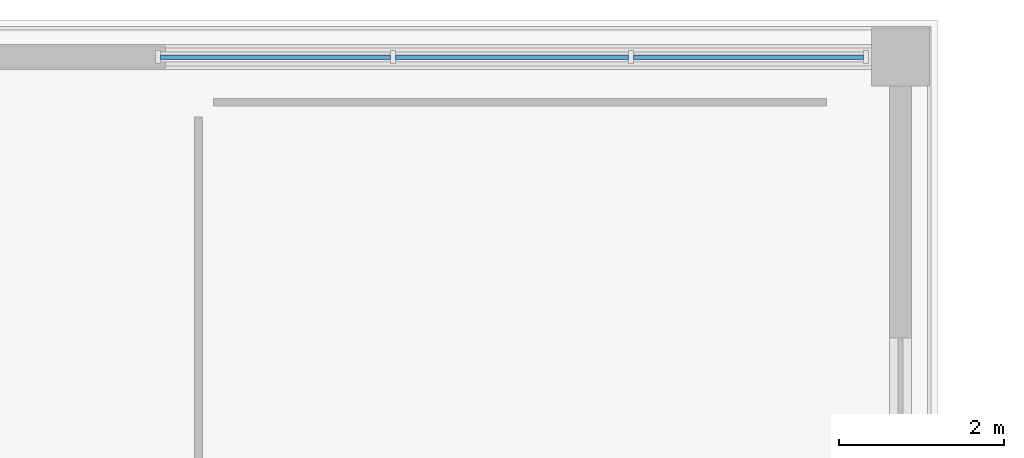
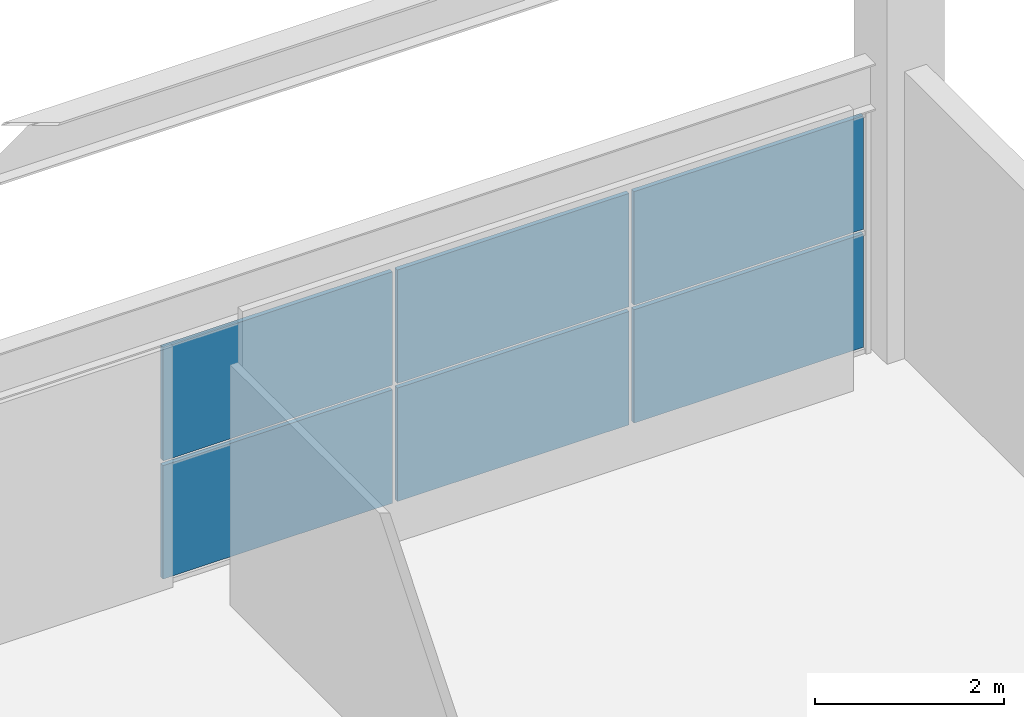
# One storey, part 43 of 72: 6 plates, 1 element without a shape of its own.
"""IFC4 building model written with IfcOpenShell, lengths in metres."""

from ifc_helpers import new_model, si_unit, direction, frame, origin, origin_2d, place, context, subcontext, project, spatial, rectangle, extrude, material, layer, layer_set, type_object, element, aggregate, save


model = new_model("IFC4")

# Units and contexts
model_context = context("Model", 3, precision=1e-05, world=origin(), true_north=direction((0.0, 1.0)))
body_context = subcontext(model_context, "Body", "Model", "MODEL_VIEW")
ifc_project = project(units=[si_unit("LENGTHUNIT", "METRE"), si_unit("AREAUNIT", "SQUARE_METRE"), si_unit("VOLUMEUNIT", "CUBIC_METRE"), si_unit("PLANEANGLEUNIT", "RADIAN"), si_unit("MASSUNIT", "GRAM", prefix="KILO")], contexts=[model_context])

# Site, building, storey
site_placement = place(None, origin())
site = spatial("IfcSite", under=ifc_project, at=site_placement, CompositionType="ELEMENT")
building_placement = place(site_placement, origin())
building = spatial("IfcBuilding", under=site, at=building_placement, Name="Saryqyr Civic Hall", CompositionType="ELEMENT")
storey_placement = place(building_placement, frame((0.0, 0.0, 17.25)))
storey = spatial("IfcBuildingStorey", under=building, at=storey_placement, Name="L04", CompositionType="ELEMENT", Elevation=17.25)

# Curtain wall, plates
ifc_material_1 = material(Name="Anodised aluminium and triple low-E glass", Category="aluminium")
curtain_wall_type = type_object("IfcCurtainWallType", Name="ENV-CW-STD-57", PredefinedType="NOTDEFINED", material=ifc_material_1)
curtain_wall_placement = place(storey_placement, origin())
curtain_wall = element("IfcCurtainWall", 1, at=curtain_wall_placement, inside=storey, type_object=curtain_wall_type, Name="Curtain wall V3-CW-L04-2-1", PredefinedType="NOTDEFINED")
ifc_material_2 = material(Name="Triple low-E insulated glazing", Category="glass")
ifc_layer = layer(ifc_material_2, 0.053955078125, Name="Triple low-E insulated glazing")
ifc_layer_set = layer_set([ifc_layer], Name="Triple low-E insulated glazing")
plate_type = type_object("IfcPlateType", Name="ENV-CW-PNL-38", PredefinedType="CURTAIN_PANEL", material=ifc_layer_set)
plate_1_placement = place(storey_placement, frame((18.558349609375, 165.14990234375, 0.06005859375), z_axis=(0.0, 0.0, 1.0), x_axis=(1.0, 0.0, 0.0)))
plate_1 = element("IfcPlate", 2, at=plate_1_placement, type_object=plate_type, Name="CW-57 panel 1.1", PredefinedType="CURTAIN_PANEL", context=body_context, shape_type="SweptSolid", body=[
    extrude(rectangle(XDim=2.796630859375, YDim=0.053955078125, at=origin_2d()), origin(), (0.0, 0.0, 1.0), 1.4619140625),
])
plate_2_placement = place(storey_placement, frame((18.558349609375, 165.14990234375, 1.58203125), z_axis=(0.0, 0.0, 1.0), x_axis=(1.0, 0.0, 0.0)))
plate_2 = element("IfcPlate", 3, at=plate_2_placement, type_object=plate_type, Name="CW-57 panel 1.2", PredefinedType="CURTAIN_PANEL", context=body_context, shape_type="SweptSolid", body=[
    extrude(rectangle(XDim=2.796630859375, YDim=0.053955078125, at=origin_2d()), origin(), (0.0, 0.0, 1.0), 1.462890625),
])
plate_3_placement = place(storey_placement, frame((21.429931640625, 165.14990234375, 0.06005859375), z_axis=(0.0, 0.0, 1.0), x_axis=(1.0, 0.0, 0.0)))
plate_3 = element("IfcPlate", 4, at=plate_3_placement, type_object=plate_type, Name="CW-57 panel 2.1", PredefinedType="CURTAIN_PANEL", context=body_context, shape_type="SweptSolid", body=[
    extrude(rectangle(XDim=2.82666015625, YDim=0.053955078125, at=origin_2d()), origin(), (0.0, 0.0, 1.0), 1.4619140625),
])
plate_4_placement = place(storey_placement, frame((21.429931640625, 165.14990234375, 1.58203125), z_axis=(0.0, 0.0, 1.0), x_axis=(1.0, 0.0, 0.0)))
plate_4 = element("IfcPlate", 5, at=plate_4_placement, type_object=plate_type, Name="CW-57 panel 2.2", PredefinedType="CURTAIN_PANEL", context=body_context, shape_type="SweptSolid", body=[
    extrude(rectangle(XDim=2.82666015625, YDim=0.053955078125, at=origin_2d()), origin(), (0.0, 0.0, 1.0), 1.462890625),
])
plate_5_placement = place(storey_placement, frame((24.3017578125, 165.14990234375, 0.06005859375), z_axis=(0.0, 0.0, 1.0), x_axis=(1.0, 0.0, 0.0)))
plate_5 = element("IfcPlate", 6, at=plate_5_placement, type_object=plate_type, Name="CW-57 panel 3.1", PredefinedType="CURTAIN_PANEL", context=body_context, shape_type="SweptSolid", body=[
    extrude(rectangle(XDim=2.796630859375, YDim=0.053955078125, at=origin_2d()), origin(), (0.0, 0.0, 1.0), 1.4619140625),
])
plate_6_placement = place(storey_placement, frame((24.3017578125, 165.14990234375, 1.58203125), z_axis=(0.0, 0.0, 1.0), x_axis=(1.0, 0.0, 0.0)))
plate_6 = element("IfcPlate", 7, at=plate_6_placement, type_object=plate_type, Name="CW-57 panel 3.2", PredefinedType="CURTAIN_PANEL", context=body_context, shape_type="SweptSolid", body=[
    extrude(rectangle(XDim=2.796630859375, YDim=0.053955078125, at=origin_2d()), origin(), (0.0, 0.0, 1.0), 1.462890625),
])
aggregate(curtain_wall, [plate_1, plate_2, plate_3, plate_4, plate_5, plate_6])

save(model, "model.ifc")
